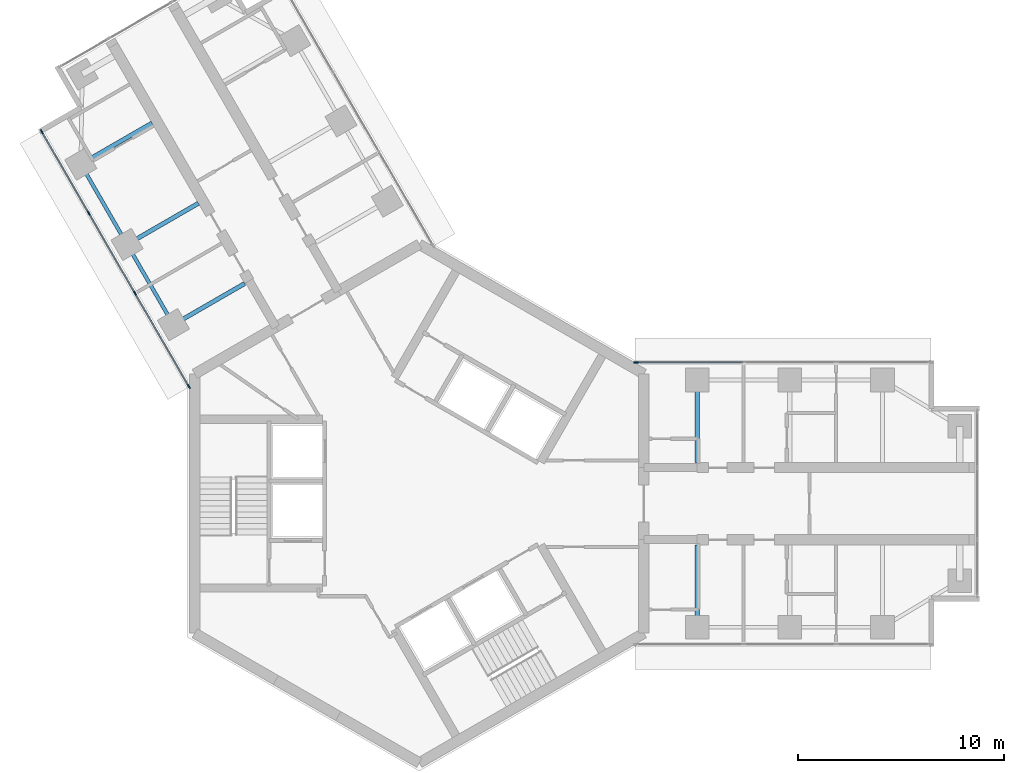
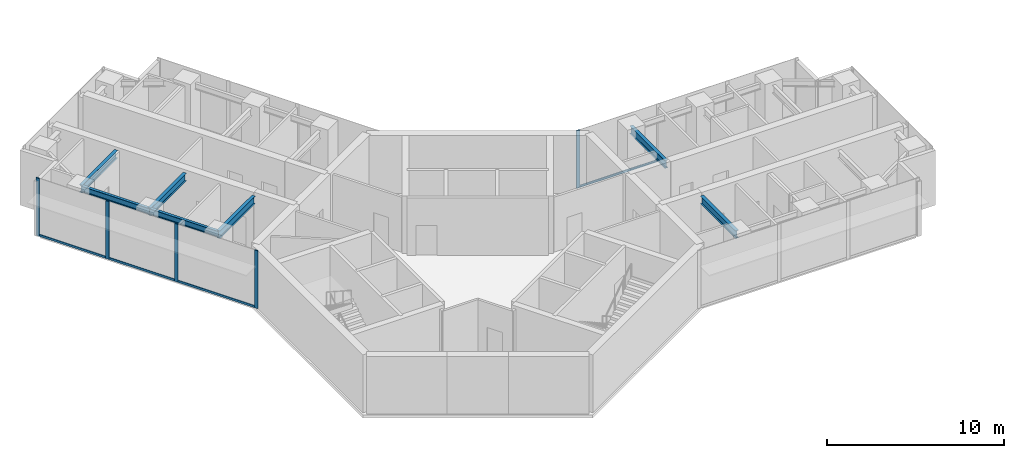
# One storey, part 5 of 17: 9 members, 7 beams, 2 elements without a shape of their own.
"""IFC4 building model written with IfcOpenShell, lengths in metres."""

from ifc_helpers import new_model, si_unit, direction, frame, origin, origin_2d, place, context, subcontext, project, spatial, rectangle, i_section, extrude, material, material_profile, profile_set, type_object, element, aggregate, save


model = new_model("IFC4")

# Units and contexts
model_context = context("Model", 3, precision=1e-05, world=origin(), true_north=direction((0.0, 1.0)))
body_context = subcontext(model_context, "Body", "Model", "MODEL_VIEW")
ifc_project = project(units=[si_unit("LENGTHUNIT", "METRE"), si_unit("AREAUNIT", "SQUARE_METRE"), si_unit("VOLUMEUNIT", "CUBIC_METRE"), si_unit("PLANEANGLEUNIT", "RADIAN"), si_unit("MASSUNIT", "GRAM", prefix="KILO")], contexts=[model_context])

# Site, building, storey
site_placement = place(None, origin())
site = spatial("IfcSite", under=ifc_project, at=site_placement, CompositionType="ELEMENT")
building_placement = place(site_placement, origin())
building = spatial("IfcBuilding", under=site, at=building_placement, Name="Upepo Twin Towers", CompositionType="ELEMENT")
storey_placement = place(building_placement, frame((0.0, 0.0, 210.5)))
storey = spatial("IfcBuildingStorey", under=building, at=storey_placement, Name="L51", CompositionType="ELEMENT", Elevation=210.5)

# Beams
ifc_material_1 = material(Name="Steel S355", Category="steel")
ifc_material_profile_1 = material_profile(ifc_material_1, i_section(OverallWidth=0.177978515625, OverallDepth=0.406494140625, WebThickness=0.0078125, FlangeThickness=0.0126953125, FilletRadius=0.01025390625, at=origin_2d()), Name="UB 406x178x60")
ifc_profile_set_1 = profile_set([ifc_material_profile_1], Name="Steel S355")
beam_type_1 = type_object("IfcBeamType", Name="Beam UB 406x178x60", PredefinedType="BEAM", material=ifc_profile_set_1)
beam_1_placement = place(storey_placement, frame((-11.946044921875, 8.69140625, 3.5966796875), z_axis=(-0.500013631625, 0.866017533419, 0.0), x_axis=(-0.866017533419, -0.500013631625, 0.0)))
element("IfcBeam", 1, at=beam_1_placement, inside=storey, type_object=beam_type_1, Name="T1 edge beam BL 13.5-18.0", PredefinedType="BEAM", context=body_context, shape_type="SweptSolid", body=[
    extrude(i_section(OverallWidth=0.177978515625, OverallDepth=0.406494140625, WebThickness=0.0078125, FlangeThickness=0.0126953125, FilletRadius=0.01025390625, at=origin_2d()), origin(), (0.0, 0.0, 1.0), 4.499755859375),
])
beam_2_placement = place(storey_placement, frame((-14.196044921875, 12.58837890625, 3.5966796875), z_axis=(-0.499990139034, 0.866031096941, 0.0), x_axis=(-0.866031096941, -0.499990139034, 0.0)))
element("IfcBeam", 2, at=beam_2_placement, inside=storey, type_object=beam_type_1, Name="T1 edge beam BL 18.0-22.5", PredefinedType="BEAM", context=body_context, shape_type="SweptSolid", body=[
    extrude(i_section(OverallWidth=0.177978515625, OverallDepth=0.406494140625, WebThickness=0.0078125, FlangeThickness=0.0126953125, FilletRadius=0.01025390625, at=origin_2d()), origin(), (0.0, 0.0, 1.0), 4.5),
])
ifc_material_2 = material(Name="Steel S355", Category="steel")
ifc_material_profile_2 = material_profile(ifc_material_2, i_section(OverallWidth=0.209228515625, OverallDepth=0.533203125, WebThickness=0.010009765625, FlangeThickness=0.015625, FilletRadius=0.0126953125, at=origin_2d()), Name="UB 533x210x92")
ifc_profile_set_2 = profile_set([ifc_material_profile_2], Name="Steel S355")
beam_type_2 = type_object("IfcBeamType", Name="Beam UB 533x210x92", PredefinedType="BEAM", material=ifc_profile_set_2)
for number, where, z_axis, x_axis, name in (
    (3, (13.5, 6.0, 3.533447265625), (0.0, -1.0, 0.0), (1.0, 0.0, 0.0), "T1 girder AL at 13.5"),
    (4, (13.5, -6.0, 3.533447265625), (0.0, 1.0, 0.0), (-1.0, 0.0, 0.0), "T1 girder AR at 13.5"),
    (5, (-11.946044921875, 8.69140625, 3.533447265625), (0.866026010844, 0.49999894854, 0.0), (-0.49999894854, 0.866026010844, 0.0), "T1 girder BL at 13.5"),
    (6, (-14.196044921875, 12.58837890625, 3.533447265625), (0.866026010844, 0.49999894854, 0.0), (-0.49999894854, 0.866026010844, 0.0), "T1 girder BL at 18.0"),
    (7, (-16.446044921875, 16.485595703125, 3.533447265625), (0.866026010844, 0.49999894854, 0.0), (-0.49999894854, 0.866026010844, 0.0), "T1 girder BL at 22.5"),
):
    element("IfcBeam", number, at=place(storey_placement, frame(where, z_axis=z_axis, x_axis=x_axis)), inside=storey, type_object=beam_type_2, Name=name, PredefinedType="BEAM", context=body_context, shape_type="SweptSolid", body=[
        extrude(i_section(OverallWidth=0.209228515625, OverallDepth=0.533203125, WebThickness=0.010009765625, FlangeThickness=0.015625, FilletRadius=0.0126953125, at=origin_2d()), origin(), (0.0, 0.0, 1.0), 4.0),
    ])

# Curtain wall, member
ifc_material_3 = material(Name="Aluminium and fritted glass", Category="aluminium")
curtain_wall_type = type_object("IfcCurtainWallType", Name="Tower curtain wall TW3, fritted glass", PredefinedType="NOTDEFINED", material=ifc_material_3)
curtain_wall_1_placement = place(storey_placement, origin())
curtain_wall_1 = element("IfcCurtainWall", 8, at=curtain_wall_1_placement, inside=storey, type_object=curtain_wall_type, Name="T1 L51 wing A flank L curtain wall", PredefinedType="NOTDEFINED")
ifc_material_4 = material(Name="Aluminium mullion", Category="aluminium")
ifc_material_profile_3 = material_profile(ifc_material_4, rectangle(XDim=0.06494140625, YDim=0.22509765625, at=origin_2d()), Name="MULLION 65x225")
ifc_profile_set_3 = profile_set([ifc_material_profile_3], Name="Aluminium mullion")
member_type_1 = type_object("IfcMemberType", Name="Mullion 65x225 TW3", PredefinedType="MULLION", material=ifc_profile_set_3)
member_1_placement = place(storey_placement, frame((10.51953125, 6.85009765625, 0.0), z_axis=(0.0, 0.0, 1.0), x_axis=(0.0, 1.0, 0.0)))
member_1 = element("IfcMember", 9, at=member_1_placement, type_object=member_type_1, Name="T1 L51 wing A flank L curtain wall mullion 1", PredefinedType="MULLION", context=body_context, shape_type="SweptSolid", body=[
    extrude(rectangle(XDim=0.06494140625, YDim=0.22509765625, at=origin_2d()), origin(), (0.0, 0.0, 1.0), 4.0),
])

# Curtain wall, members
curtain_wall_2_placement = place(storey_placement, origin())
curtain_wall_2 = element("IfcCurtainWall", 10, at=curtain_wall_2_placement, inside=storey, type_object=curtain_wall_type, Name="T1 L51 wing B flank L curtain wall", PredefinedType="NOTDEFINED")
member_2_placement = place(storey_placement, frame((-11.192138671875, 5.685302734375, 0.0), z_axis=(0.0, 0.0, 1.0), x_axis=(-0.866025388469, -0.500000026527, 0.0)))
member_2 = element("IfcMember", 11, at=member_2_placement, type_object=member_type_1, Name="T1 L51 wing B flank L curtain wall mullion 1", PredefinedType="MULLION", context=body_context, shape_type="SweptSolid", body=[
    extrude(rectangle(XDim=0.06494140625, YDim=0.22509765625, at=origin_2d()), origin(), (0.0, 0.0, 1.0), 4.0),
])
member_3_placement = place(storey_placement, frame((-13.807373046875, 10.21484375, 0.0), z_axis=(0.0, 0.0, 1.0), x_axis=(-0.866025388469, -0.500000026527, 0.0)))
member_3 = element("IfcMember", 12, at=member_3_placement, type_object=member_type_1, Name="T1 L51 wing B flank L curtain wall mullion 2", PredefinedType="MULLION", context=body_context, shape_type="SweptSolid", body=[
    extrude(rectangle(XDim=0.06494140625, YDim=0.22509765625, at=origin_2d()), origin(), (0.0, 0.0, 1.0), 4.0),
])
member_4_placement = place(storey_placement, frame((-16.057373046875, 14.112060546875, 0.0), z_axis=(0.0, 0.0, 1.0), x_axis=(-0.866025388469, -0.500000026527, 0.0)))
member_4 = element("IfcMember", 13, at=member_4_placement, type_object=member_type_1, Name="T1 L51 wing B flank L curtain wall mullion 3", PredefinedType="MULLION", context=body_context, shape_type="SweptSolid", body=[
    extrude(rectangle(XDim=0.06494140625, YDim=0.22509765625, at=origin_2d()), origin(), (0.0, 0.0, 1.0), 4.0),
])
member_5_placement = place(storey_placement, frame((-18.341064453125, 18.067626953125, 0.0), z_axis=(0.0, 0.0, 1.0), x_axis=(-0.866025388469, -0.500000026527, 0.0)))
member_5 = element("IfcMember", 14, at=member_5_placement, type_object=member_type_1, Name="T1 L51 wing B flank L curtain wall mullion 4", PredefinedType="MULLION", context=body_context, shape_type="SweptSolid", body=[
    extrude(rectangle(XDim=0.06494140625, YDim=0.22509765625, at=origin_2d()), origin(), (0.0, 0.0, 1.0), 4.0),
])

# Member
ifc_material_5 = material(Name="Aluminium transom", Category="aluminium")
ifc_material_profile_4 = material_profile(ifc_material_5, rectangle(XDim=0.06494140625, YDim=0.14990234375, at=origin_2d()), Name="TRANSOM 65x150")
ifc_profile_set_4 = profile_set([ifc_material_profile_4], Name="Aluminium transom")
member_type_2 = type_object("IfcMemberType", Name="Transom 65x150 TW3", PredefinedType="USERDEFINED", material=ifc_profile_set_4)
member_6_placement = place(storey_placement, frame((10.552001953125, 6.85009765625, 0.074951171875), z_axis=(1.0, 0.0, 0.0), x_axis=(0.0, 1.0, 0.0)))
member_6 = element("IfcMember", 15, at=member_6_placement, type_object=member_type_2, Name="T1 L51 wing A flank L curtain wall transom 1", ObjectType="TRANSOM", PredefinedType="USERDEFINED", context=body_context, shape_type="SweptSolid", body=[
    extrude(rectangle(XDim=0.06494140625, YDim=0.14990234375, at=origin_2d()), origin(), (0.0, 0.0, 1.0), 5.16552734375),
])

aggregate(curtain_wall_1, [member_1, member_6])

member_7_placement = place(storey_placement, frame((-11.208251953125, 5.71337890625, 0.074951171875), z_axis=(-0.500007480159, 0.86602108507, 0.0), x_axis=(-0.86602108507, -0.500007480159, 0.0)))
member_7 = element("IfcMember", 16, at=member_7_placement, type_object=member_type_2, Name="T1 L51 wing B flank L curtain wall transom 1", ObjectType="TRANSOM", PredefinedType="USERDEFINED", context=body_context, shape_type="SweptSolid", body=[
    extrude(rectangle(XDim=0.06494140625, YDim=0.14990234375, at=origin_2d()), origin(), (0.0, 0.0, 1.0), 5.16552734375),
])

member_8_placement = place(storey_placement, frame((-13.823486328125, 10.2431640625, 0.074951171875), z_axis=(-0.500005184116, 0.866022410713, 0.0), x_axis=(-0.866022410713, -0.500005184116, 0.0)))
member_8 = element("IfcMember", 17, at=member_8_placement, type_object=member_type_2, Name="T1 L51 wing B flank L curtain wall transom 2", ObjectType="TRANSOM", PredefinedType="USERDEFINED", context=body_context, shape_type="SweptSolid", body=[
    extrude(rectangle(XDim=0.06494140625, YDim=0.14990234375, at=origin_2d()), origin(), (0.0, 0.0, 1.0), 4.43505859375),
])

member_9_placement = place(storey_placement, frame((-16.073486328125, 14.14013671875, 0.074951171875), z_axis=(-0.499982167615, 0.866035699072, 0.0), x_axis=(-0.866035699072, -0.499982167615, 0.0)))
member_9 = element("IfcMember", 18, at=member_9_placement, type_object=member_type_2, Name="T1 L51 wing B flank L curtain wall transom 3", ObjectType="TRANSOM", PredefinedType="USERDEFINED", context=body_context, shape_type="SweptSolid", body=[
    extrude(rectangle(XDim=0.06494140625, YDim=0.14990234375, at=origin_2d()), origin(), (0.0, 0.0, 1.0), 4.502685546875),
])

aggregate(curtain_wall_2, [member_2, member_3, member_4, member_5, member_7, member_8, member_9])

save(model, "model.ifc")
